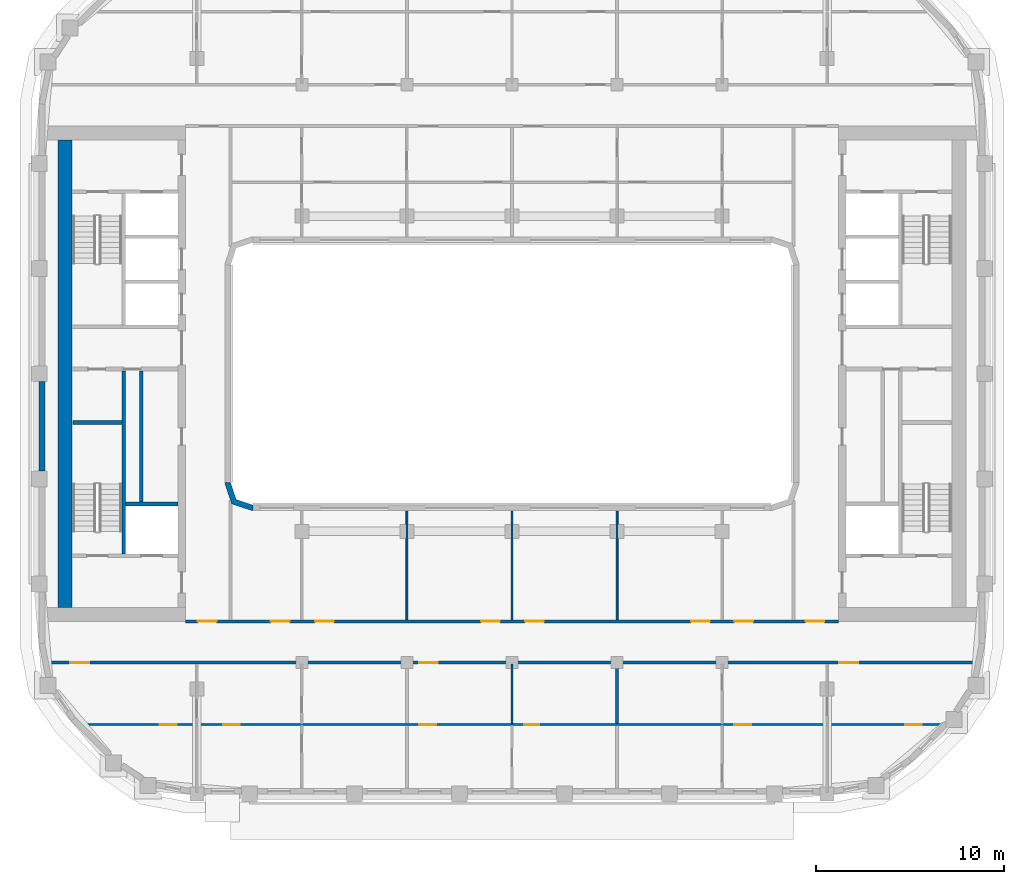
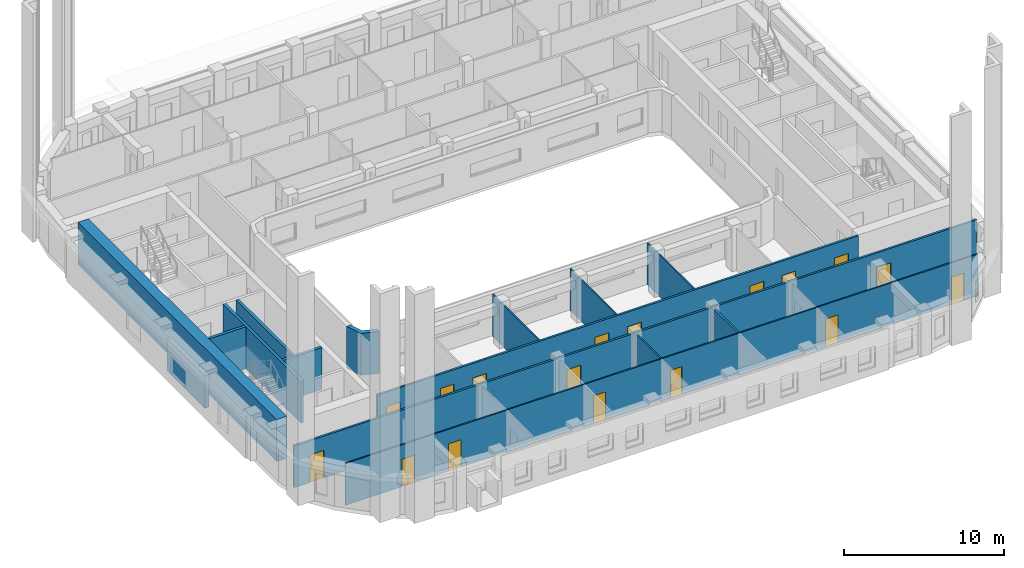
# One storey, part 3 of 21: 17 doors, 15 walls, 17 openings.
"""IFC4 building model written with IfcOpenShell, lengths in metres."""

from ifc_helpers import new_model, si_unit, direction, frame, frame_2d, origin, place, context, subcontext, project, spatial, polyline, rectangle, outline, extrude, material, layer, layer_set, type_object, element, fill, save


model = new_model("IFC4")

# Units and contexts
model_context = context("Model", 3, precision=1e-05, world=origin(), true_north=direction((0.0, 1.0)))
body_context = subcontext(model_context, "Body", "Model", "MODEL_VIEW")
ifc_project = project(units=[si_unit("LENGTHUNIT", "METRE"), si_unit("AREAUNIT", "SQUARE_METRE"), si_unit("VOLUMEUNIT", "CUBIC_METRE"), si_unit("PLANEANGLEUNIT", "RADIAN"), si_unit("MASSUNIT", "GRAM", prefix="KILO")], contexts=[model_context])

# Site, building, storey
site_placement = place(None, origin())
site = spatial("IfcSite", under=ifc_project, at=site_placement, CompositionType="ELEMENT")
building_placement = place(site_placement, origin())
building = spatial("IfcBuilding", under=site, at=building_placement, Name="Kiln Ring Residences", CompositionType="ELEMENT")
storey_placement = place(building_placement, frame((0.0, 0.0, 213.39990234375)))
storey = spatial("IfcBuildingStorey", under=building, at=storey_placement, Name="L55", CompositionType="ELEMENT", Elevation=213.39990234375)

# Walls
ifc_material_1 = material(Name="Gypsum board on steel studs", Category="steel")
ifc_layer_1 = layer(ifc_material_1, 0.199951171875)
ifc_layer_set_1 = layer_set([ifc_layer_1], Name="CORE-PARTITION-200")
wall_type_1 = type_object("IfcWallType", Name="CORE-PARTITION-200", PredefinedType="PARTITIONING", material=ifc_layer_set_1)
wall_1_placement = place(storey_placement, frame((-19.760009765625, -6.85009765625, 0.0), z_axis=(0.0, 0.0, 1.0), x_axis=(0.0, 1.0, 0.0)))
element("IfcWall", 1, at=wall_1_placement, inside=storey, type_object=wall_type_1, Name="Core partition west L55 2", PredefinedType="PARTITIONING", context=body_context, shape_type="SweptSolid", body=[
    extrude(rectangle(XDim=7.0, YDim=0.199951171875, at=frame_2d((3.5, 0.0))), origin(), (0.0, 0.0, 1.0), 3.2001953125),
])
ifc_material_2 = material(Name="Gypsum shaft wall system")
ifc_layer_2 = layer(ifc_material_2, 0.199951171875)
ifc_layer_set_2 = layer_set([ifc_layer_2], Name="CORE-SHAFT-WALL-200")
wall_type_2 = type_object("IfcWallType", Name="CORE-SHAFT-WALL-200", PredefinedType="PARTITIONING", material=ifc_layer_set_2)
wall_2_placement = place(storey_placement, frame((-17.800048828125, -6.949951171875, 0.0), z_axis=(0.0, 0.0, 1.0), x_axis=(-1.0, 0.0, 0.0)))
element("IfcWall", 2, at=wall_2_placement, inside=storey, type_object=wall_type_2, Name="Core partition west L55 3", PredefinedType="PARTITIONING", context=body_context, shape_type="SweptSolid", body=[
    extrude(rectangle(XDim=2.800048828125, YDim=0.199951171875, at=frame_2d((1.39990234375, 0.0))), origin(), (0.0, 0.0, 1.0), 3.2001953125),
])
ifc_material_3 = material(Name="Concrete C40/50", Category="concrete")
ifc_layer_3 = layer(ifc_material_3, 0.199951171875)
ifc_layer_set_3 = layer_set([ifc_layer_3], Name="CORE-WALL-RC200")
wall_type_3 = type_object("IfcWallType", Name="CORE-WALL-RC200", PredefinedType="SHEAR", material=ifc_layer_set_3)
wall_3_placement = place(storey_placement, frame((-20.699951171875, -9.60009765625, 0.0), z_axis=(0.0, 0.0, 1.0), x_axis=(0.0, 1.0, 0.0)))
element("IfcWall", 3, at=wall_3_placement, inside=storey, type_object=wall_type_3, Name="Core wall west L55 2", PredefinedType="SHEAR", context=body_context, shape_type="SweptSolid", body=[
    extrude(rectangle(XDim=9.75, YDim=0.199951171875, at=frame_2d((4.875, 0.0))), origin(), (0.0, 0.0, 1.0), 3.2001953125),
])
wall_4_placement = place(storey_placement, frame((-20.800048828125, -2.60009765625, 0.0), z_axis=(0.0, 0.0, 1.0), x_axis=(-1.0, 0.0, 0.0)))
element("IfcWall", 4, at=wall_4_placement, inside=storey, type_object=wall_type_3, Name="Core wall west L55 10", PredefinedType="SHEAR", context=body_context, shape_type="SweptSolid", body=[
    extrude(rectangle(XDim=2.599853515625, YDim=0.199951171875, at=frame_2d((1.2998046875, 0.0))), origin(), (0.0, 0.0, 1.0), 3.2001953125),
])
ifc_material_4 = material(Name="Concrete C60/75", Category="concrete")
ifc_layer_4 = layer(ifc_material_4, 0.75)
ifc_layer_set_4 = layer_set([ifc_layer_4], Name="CORE-WALL-RC750")
wall_type_4 = type_object("IfcWallType", Name="CORE-WALL-RC750", PredefinedType="SHEAR", material=ifc_layer_set_4)
wall_5_placement = place(storey_placement, frame((-23.824951171875, -12.449951171875, 0.0), z_axis=(0.0, 0.0, 1.0), x_axis=(0.0, 1.0, 0.0)))
element("IfcWall", 5, at=wall_5_placement, inside=storey, type_object=wall_type_4, Name="Core wall west L55 7", PredefinedType="SHEAR", context=body_context, shape_type="SweptSolid", body=[
    extrude(rectangle(XDim=24.89990234375, YDim=0.75, at=frame_2d((12.449951171875, 0.0))), origin(), (0.0, 0.0, 1.0), 3.2001953125),
])
ifc_material_5 = material(Name="Brick masonry, dark clay brick", Category="masonry")
ifc_layer_5 = layer(ifc_material_5, 0.300048828125)
ifc_layer_set_5 = layer_set([ifc_layer_5], Name="EW-300 BRICK WALL")
wall_type_5 = type_object("IfcWallType", Name="EW-300 BRICK WALL", PredefinedType="SOLIDWALL", material=ifc_layer_set_5)
wall_6_placement = place(storey_placement, frame((-25.050048828125, -0.425048828125, 0.0), z_axis=(0.0, 0.0, 1.0), x_axis=(0.0, -1.0, 0.0)))
element("IfcWall", 6, at=wall_6_placement, inside=storey, type_object=wall_type_5, Name="Facade wall L55 42", PredefinedType="SOLIDWALL", context=body_context, shape_type="SweptSolid", body=[
    extrude(rectangle(XDim=4.75, YDim=0.300048828125, at=frame_2d((2.375, 0.0))), origin(), (0.0, 0.0, 1.0), 2.5),
])
wall_7_placement = place(storey_placement, origin())
element("IfcWall", 7, at=wall_7_placement, inside=storey, type_object=wall_type_5, Name="Corner wall L55 4", PredefinedType="SOLIDWALL", context=body_context, shape_type="SweptSolid", body=[
    extrude(outline(polyline([(-14.937255859375, -6.937255859375), (-13.8486328125, -7.300048828125), (-13.800048828125, -7.300048828125), (-13.800048828125, -7.0), (-14.699951171875, -6.699951171875), (-15.0, -5.800048828125), (-15.300048828125, -5.800048828125), (-15.300048828125, -5.8486328125), (-14.937255859375, -6.937255859375)])), origin(), (0.0, 0.0, 1.0), 3.2001953125),
])

# Wall, openings, doors
ifc_material_6 = material(Name="Gypsum board on steel studs", Category="steel")
ifc_layer_6 = layer(ifc_material_6, 0.10009765625)
ifc_layer_set_6 = layer_set([ifc_layer_6], Name="PARTITION-100")
wall_type_6 = type_object("IfcWallType", Name="PARTITION-100", PredefinedType="PARTITIONING", material=ifc_layer_set_6)
wall_8_placement = place(storey_placement, frame((-22.855712890625, -18.699951171875, 0.0), z_axis=(0.0, 0.0, 1.0), x_axis=(1.0, 0.0, 0.0)))
wall_8 = element("IfcWall", 8, at=wall_8_placement, inside=storey, type_object=wall_type_6, Name="Partition 000", PredefinedType="PARTITIONING", context=body_context, shape_type="SweptSolid", body=[
    extrude(rectangle(XDim=45.71142578125, YDim=0.10009765625, at=frame_2d((22.855712890625, 0.0))), origin(), (0.0, 0.0, 1.0), 3.2001953125),
])
opening_1_placement = place(wall_8_placement, frame((4.083740234375, 0.0, 0.0)))
opening_1 = element("IfcOpeningElement", 9, at=opening_1_placement, cuts=wall_8, Name="Opening L55-D042", PredefinedType="OPENING", context=body_context, shape_type="SweptSolid", body=[
    extrude(rectangle(XDim=0.89990234375, YDim=2.10009765625, at=frame_2d((0.449951171875, 1.050048828125))), frame((0.0, 0.06005859375, 0.0), z_axis=(0.0, -1.0, 0.0), x_axis=(1.0, 0.0, 0.0)), (0.0, 0.0, 1.0), 0.1201171875),
])
opening_2_placement = place(wall_8_placement, frame((7.455810546875, 0.0, 0.0)))
opening_2 = element("IfcOpeningElement", 10, at=opening_2_placement, cuts=wall_8, Name="Opening L55-D043", PredefinedType="OPENING", context=body_context, shape_type="SweptSolid", body=[
    extrude(rectangle(XDim=0.89990234375, YDim=2.10009765625, at=frame_2d((0.449951171875, 1.050048828125))), frame((0.0, 0.06005859375, 0.0), z_axis=(0.0, -1.0, 0.0), x_axis=(1.0, 0.0, 0.0)), (0.0, 0.0, 1.0), 0.1201171875),
])
opening_3_placement = place(wall_8_placement, frame((23.505615234375, 0.0, 0.0)))
opening_3 = element("IfcOpeningElement", 11, at=opening_3_placement, cuts=wall_8, Name="Opening L55-D046", PredefinedType="OPENING", context=body_context, shape_type="SweptSolid", body=[
    extrude(rectangle(XDim=0.800048828125, YDim=2.10009765625, at=frame_2d((0.39990234375, 1.050048828125))), frame((0.0, 0.06005859375, 0.0), z_axis=(0.0, -1.0, 0.0), x_axis=(1.0, 0.0, 0.0)), (0.0, 0.0, 1.0), 0.1201171875),
])
opening_4_placement = place(wall_8_placement, frame((17.90576171875, 0.0, 0.0)))
opening_4 = element("IfcOpeningElement", 12, at=opening_4_placement, cuts=wall_8, Name="Opening L55-D047", PredefinedType="OPENING", context=body_context, shape_type="SweptSolid", body=[
    extrude(rectangle(XDim=0.89990234375, YDim=2.10009765625, at=frame_2d((0.449951171875, 1.050048828125))), frame((0.0, 0.06005859375, 0.0), z_axis=(0.0, -1.0, 0.0), x_axis=(1.0, 0.0, 0.0)), (0.0, 0.0, 1.0), 0.1201171875),
])
opening_5_placement = place(wall_8_placement, frame((43.8056640625, 0.0, 0.0)))
opening_5 = element("IfcOpeningElement", 13, at=opening_5_placement, cuts=wall_8, Name="Opening L55-D052", PredefinedType="OPENING", context=body_context, shape_type="SweptSolid", body=[
    extrude(rectangle(XDim=0.89990234375, YDim=2.10009765625, at=frame_2d((0.449951171875, 1.050048828125))), frame((0.0, 0.06005859375, 0.0), z_axis=(0.0, -1.0, 0.0), x_axis=(1.0, 0.0, 0.0)), (0.0, 0.0, 1.0), 0.1201171875),
])
opening_6_placement = place(wall_8_placement, frame((34.705810546875, 0.0, 0.0)))
opening_6 = element("IfcOpeningElement", 14, at=opening_6_placement, cuts=wall_8, Name="Opening L55-D053", PredefinedType="OPENING", context=body_context, shape_type="SweptSolid", body=[
    extrude(rectangle(XDim=0.89990234375, YDim=2.10009765625, at=frame_2d((0.449951171875, 1.050048828125))), frame((0.0, 0.06005859375, 0.0), z_axis=(0.0, -1.0, 0.0), x_axis=(1.0, 0.0, 0.0)), (0.0, 0.0, 1.0), 0.1201171875),
])
ifc_material_7 = material(Name="Timber door leaf", Category="wood")
door_type_1 = type_object("IfcDoorType", Name="FLAT-DOOR-800-PL", OperationType="SINGLE_SWING_LEFT", PredefinedType="DOOR", material=ifc_material_7)
door_1_placement = place(opening_3_placement, origin())
door_1 = element("IfcDoor", 15, at=door_1_placement, inside=storey, type_object=door_type_1, Name="Door L55-D046", OperationType="SINGLE_SWING_RIGHT", OverallHeight=2.10009765625, OverallWidth=0.800048828125, PredefinedType="DOOR", context=body_context, shape_type="SweptSolid", body=[
    extrude(rectangle(XDim=0.800048828125, YDim=2.10009765625, at=frame_2d((0.39990234375, 1.050048828125))), frame((0.0, 0.02490234375, 0.0), z_axis=(0.0, -1.0, 0.0), x_axis=(1.0, 0.0, 0.0)), (0.0, 0.0, 1.0), 0.050048828125),
])
fill(opening_3, door_1)
ifc_material_8 = material(Name="Timber door leaf", Category="wood")
door_type_2 = type_object("IfcDoorType", Name="FLAT-DOOR-900-PL", OperationType="SINGLE_SWING_LEFT", PredefinedType="DOOR", material=ifc_material_8)
door_2_placement = place(opening_1_placement, origin())
door_2 = element("IfcDoor", 16, at=door_2_placement, inside=storey, type_object=door_type_2, Name="Door L55-D042", OperationType="SINGLE_SWING_RIGHT", OverallHeight=2.10009765625, OverallWidth=0.89990234375, PredefinedType="DOOR", context=body_context, shape_type="SweptSolid", body=[
    extrude(rectangle(XDim=0.89990234375, YDim=2.10009765625, at=frame_2d((0.449951171875, 1.050048828125))), frame((0.0, 0.02490234375, 0.0), z_axis=(0.0, -1.0, 0.0), x_axis=(1.0, 0.0, 0.0)), (0.0, 0.0, 1.0), 0.050048828125),
])
fill(opening_1, door_2)
door_3_placement = place(opening_2_placement, origin())
door_3 = element("IfcDoor", 17, at=door_3_placement, inside=storey, type_object=door_type_2, Name="Door L55-D043", OperationType="SINGLE_SWING_LEFT", OverallHeight=2.10009765625, OverallWidth=0.89990234375, PredefinedType="DOOR", context=body_context, shape_type="SweptSolid", body=[
    extrude(rectangle(XDim=0.89990234375, YDim=2.10009765625, at=frame_2d((0.449951171875, 1.050048828125))), frame((0.0, 0.02490234375, 0.0), z_axis=(0.0, -1.0, 0.0), x_axis=(1.0, 0.0, 0.0)), (0.0, 0.0, 1.0), 0.050048828125),
])
fill(opening_2, door_3)
door_4_placement = place(opening_4_placement, origin())
door_4 = element("IfcDoor", 18, at=door_4_placement, inside=storey, type_object=door_type_2, Name="Door L55-D047", OperationType="SINGLE_SWING_LEFT", OverallHeight=2.10009765625, OverallWidth=0.89990234375, PredefinedType="DOOR", context=body_context, shape_type="SweptSolid", body=[
    extrude(rectangle(XDim=0.89990234375, YDim=2.10009765625, at=frame_2d((0.449951171875, 1.050048828125))), frame((0.0, 0.02490234375, 0.0), z_axis=(0.0, -1.0, 0.0), x_axis=(1.0, 0.0, 0.0)), (0.0, 0.0, 1.0), 0.050048828125),
])
fill(opening_4, door_4)
door_5_placement = place(opening_5_placement, origin())
door_5 = element("IfcDoor", 19, at=door_5_placement, inside=storey, type_object=door_type_2, Name="Door L55-D052", OperationType="SINGLE_SWING_RIGHT", OverallHeight=2.10009765625, OverallWidth=0.89990234375, PredefinedType="DOOR", context=body_context, shape_type="SweptSolid", body=[
    extrude(rectangle(XDim=0.89990234375, YDim=2.10009765625, at=frame_2d((0.449951171875, 1.050048828125))), frame((0.0, 0.02490234375, 0.0), z_axis=(0.0, -1.0, 0.0), x_axis=(1.0, 0.0, 0.0)), (0.0, 0.0, 1.0), 0.050048828125),
])
fill(opening_5, door_5)
door_6_placement = place(opening_6_placement, origin())
door_6 = element("IfcDoor", 20, at=door_6_placement, inside=storey, type_object=door_type_2, Name="Door L55-D053", OperationType="SINGLE_SWING_LEFT", OverallHeight=2.10009765625, OverallWidth=0.89990234375, PredefinedType="DOOR", context=body_context, shape_type="SweptSolid", body=[
    extrude(rectangle(XDim=0.89990234375, YDim=2.10009765625, at=frame_2d((0.449951171875, 1.050048828125))), frame((0.0, 0.02490234375, 0.0), z_axis=(0.0, -1.0, 0.0), x_axis=(1.0, 0.0, 0.0)), (0.0, 0.0, 1.0), 0.050048828125),
])
fill(opening_6, door_6)

# Walls
wall_9_placement = place(storey_placement, frame((-5.60009765625, -13.125, 0.0), z_axis=(0.0, 0.0, 1.0), x_axis=(0.0, 1.0, 0.0)))
element("IfcWall", 21, at=wall_9_placement, inside=storey, type_object=wall_type_6, Name="Partition 020", PredefinedType="PARTITIONING", context=body_context, shape_type="SweptSolid", body=[
    extrude(rectangle(XDim=5.804931640625, YDim=0.10009765625, at=frame_2d((2.90234375, 0.0))), origin(), (0.0, 0.0, 1.0), 3.2001953125),
])
wall_10_placement = place(storey_placement, frame((0.0, -18.64990234375, 0.0), z_axis=(0.0, 0.0, 1.0), x_axis=(0.0, 1.0, 0.0)))
element("IfcWall", 22, at=wall_10_placement, inside=storey, type_object=wall_type_6, Name="Partition 028", PredefinedType="PARTITIONING", context=body_context, shape_type="SweptSolid", body=[
    extrude(rectangle(XDim=3.1748046875, YDim=0.10009765625, at=frame_2d((1.58740234375, 0.0))), origin(), (0.0, 0.0, 1.0), 3.2001953125),
])
for number, where, z_axis, x_axis, name in (
    (23, (0.0, -13.125, 0.0), (0.0, 0.0, 1.0), (0.0, 1.0, 0.0), "Partition 029"),
    (24, (5.60009765625, -13.125, 0.0), (0.0, 0.0, 1.0), (0.0, 1.0, 0.0), "Partition 034"),
):
    element("IfcWall", number, at=place(storey_placement, frame(where, z_axis=z_axis, x_axis=x_axis)), inside=storey, type_object=wall_type_6, Name=name, PredefinedType="PARTITIONING", context=body_context, shape_type="SweptSolid", body=[
        extrude(rectangle(XDim=5.804931640625, YDim=0.10009765625, at=frame_2d((2.90234375, 0.0))), origin(), (0.0, 0.0, 1.0), 3.2001953125),
    ])

# Wall, openings, doors
ifc_material_9 = material(Name="Brick masonry partition", Category="masonry")
ifc_layer_7 = layer(ifc_material_9, 0.14990234375)
ifc_layer_set_7 = layer_set([ifc_layer_7], Name="PARTITION-150-ei60")
wall_type_7 = type_object("IfcWallType", Name="PARTITION-150-ei60", PredefinedType="PARTITIONING", material=ifc_layer_set_7)
wall_11_placement = place(storey_placement, frame((-24.683837890625, -15.39990234375, 0.0), z_axis=(0.0, 0.0, 1.0), x_axis=(1.0, 0.0, 0.0)))
wall_11 = element("IfcWall", 25, at=wall_11_placement, inside=storey, type_object=wall_type_7, Name="Partition 001", PredefinedType="PARTITIONING", context=body_context, shape_type="SweptSolid", body=[
    extrude(rectangle(XDim=49.36767578125, YDim=0.14990234375, at=frame_2d((24.683837890625, 0.0))), origin(), (0.0, 0.0, 1.0), 3.2001953125),
])
opening_7_placement = place(wall_11_placement, frame((1.142822265625, 0.0, 0.0)))
opening_7 = element("IfcOpeningElement", 26, at=opening_7_placement, cuts=wall_11, Name="Opening L55-D039", PredefinedType="OPENING", context=body_context, shape_type="SweptSolid", body=[
    extrude(rectangle(XDim=1.0, YDim=2.10009765625, at=frame_2d((0.5, 1.050048828125))), frame((0.0, 0.0849609375, 0.0), z_axis=(0.0, -1.0, 0.0), x_axis=(1.0, 0.0, 0.0)), (0.0, 0.0, 1.0), 0.169921875),
])
opening_8_placement = place(wall_11_placement, frame((19.73388671875, 0.0, 0.0)))
opening_8 = element("IfcOpeningElement", 27, at=opening_8_placement, cuts=wall_11, Name="Opening L55-D045", PredefinedType="OPENING", context=body_context, shape_type="SweptSolid", body=[
    extrude(rectangle(XDim=1.0, YDim=2.10009765625, at=frame_2d((0.5, 1.050048828125))), frame((0.0, 0.0849609375, 0.0), z_axis=(0.0, -1.0, 0.0), x_axis=(1.0, 0.0, 0.0)), (0.0, 0.0, 1.0), 0.169921875),
])
opening_9_placement = place(wall_11_placement, frame((42.1337890625, 0.0, 0.0)))
opening_9 = element("IfcOpeningElement", 28, at=opening_9_placement, cuts=wall_11, Name="Opening L55-D049", PredefinedType="OPENING", context=body_context, shape_type="SweptSolid", body=[
    extrude(rectangle(XDim=1.0, YDim=2.10009765625, at=frame_2d((0.5, 1.050048828125))), frame((0.0, 0.0849609375, 0.0), z_axis=(0.0, -1.0, 0.0), x_axis=(1.0, 0.0, 0.0)), (0.0, 0.0, 1.0), 0.169921875),
])
ifc_material_10 = material(Name="Steel faced fire door leaf", Category="steel")
door_type_3 = type_object("IfcDoorType", Name="FLAT-DOOR-1000-FR", OperationType="SINGLE_SWING_LEFT", PredefinedType="DOOR", material=ifc_material_10)
door_7_placement = place(opening_7_placement, origin())
door_7 = element("IfcDoor", 29, at=door_7_placement, inside=storey, type_object=door_type_3, Name="Door L55-D039", OperationType="SINGLE_SWING_LEFT", OverallHeight=2.10009765625, OverallWidth=1.0, PredefinedType="DOOR", context=body_context, shape_type="SweptSolid", body=[
    extrude(rectangle(XDim=1.0, YDim=2.10009765625, at=frame_2d((0.5, 1.050048828125))), frame((0.0, 0.02490234375, 0.0), z_axis=(0.0, -1.0, 0.0), x_axis=(1.0, 0.0, 0.0)), (0.0, 0.0, 1.0), 0.050048828125),
])
fill(opening_7, door_7)
door_8_placement = place(opening_8_placement, origin())
door_8 = element("IfcDoor", 30, at=door_8_placement, inside=storey, type_object=door_type_3, Name="Door L55-D045", OperationType="SINGLE_SWING_LEFT", OverallHeight=2.10009765625, OverallWidth=1.0, PredefinedType="DOOR", context=body_context, shape_type="SweptSolid", body=[
    extrude(rectangle(XDim=1.0, YDim=2.10009765625, at=frame_2d((0.5, 1.050048828125))), frame((0.0, 0.02490234375, 0.0), z_axis=(0.0, -1.0, 0.0), x_axis=(1.0, 0.0, 0.0)), (0.0, 0.0, 1.0), 0.050048828125),
])
fill(opening_8, door_8)
door_9_placement = place(opening_9_placement, origin())
door_9 = element("IfcDoor", 31, at=door_9_placement, inside=storey, type_object=door_type_3, Name="Door L55-D049", OperationType="SINGLE_SWING_LEFT", OverallHeight=2.10009765625, OverallWidth=1.0, PredefinedType="DOOR", context=body_context, shape_type="SweptSolid", body=[
    extrude(rectangle(XDim=1.0, YDim=2.10009765625, at=frame_2d((0.5, 1.050048828125))), frame((0.0, 0.02490234375, 0.0), z_axis=(0.0, -1.0, 0.0), x_axis=(1.0, 0.0, 0.0)), (0.0, 0.0, 1.0), 0.050048828125),
])
fill(opening_9, door_9)

wall_12_placement = place(storey_placement, frame((-17.39990234375, -13.199951171875, 0.0), z_axis=(0.0, 0.0, 1.0), x_axis=(1.0, 0.0, 0.0)))
wall_12 = element("IfcWall", 32, at=wall_12_placement, inside=storey, type_object=wall_type_7, Name="Partition 002", PredefinedType="PARTITIONING", context=body_context, shape_type="SweptSolid", body=[
    extrude(rectangle(XDim=34.7998046875, YDim=0.14990234375, at=frame_2d((17.39990234375, 0.0))), origin(), (0.0, 0.0, 1.0), 3.2001953125),
])
opening_10_placement = place(wall_12_placement, frame((0.64990234375, 0.0, 0.0)))
opening_10 = element("IfcOpeningElement", 33, at=opening_10_placement, cuts=wall_12, Name="Opening L55-D003", PredefinedType="OPENING", context=body_context, shape_type="SweptSolid", body=[
    extrude(rectangle(XDim=1.0, YDim=2.10009765625, at=frame_2d((0.5, 1.050048828125))), frame((0.0, 0.0849609375, 0.0), z_axis=(0.0, -1.0, 0.0), x_axis=(1.0, 0.0, 0.0)), (0.0, 0.0, 1.0), 0.169921875),
])
opening_11_placement = place(wall_12_placement, frame((33.050048828125, 0.0, 0.0)))
opening_11 = element("IfcOpeningElement", 34, at=opening_11_placement, cuts=wall_12, Name="Opening L55-D004", PredefinedType="OPENING", context=body_context, shape_type="SweptSolid", body=[
    extrude(rectangle(XDim=1.0, YDim=2.10009765625, at=frame_2d((0.5, 1.050048828125))), frame((0.0, 0.0849609375, 0.0), z_axis=(0.0, -1.0, 0.0), x_axis=(1.0, 0.0, 0.0)), (0.0, 0.0, 1.0), 0.169921875),
])
opening_12_placement = place(wall_12_placement, frame((4.550048828125, 0.0, 0.0)))
opening_12 = element("IfcOpeningElement", 35, at=opening_12_placement, cuts=wall_12, Name="Opening L55-D033", PredefinedType="OPENING", context=body_context, shape_type="SweptSolid", body=[
    extrude(rectangle(XDim=1.0, YDim=2.10009765625, at=frame_2d((0.5, 1.050048828125))), frame((0.0, 0.0849609375, 0.0), z_axis=(0.0, -1.0, 0.0), x_axis=(1.0, 0.0, 0.0)), (0.0, 0.0, 1.0), 0.169921875),
])
opening_13_placement = place(wall_12_placement, frame((6.89990234375, 0.0, 0.0)))
opening_13 = element("IfcOpeningElement", 36, at=opening_13_placement, cuts=wall_12, Name="Opening L55-D034", PredefinedType="OPENING", context=body_context, shape_type="SweptSolid", body=[
    extrude(rectangle(XDim=1.0, YDim=2.10009765625, at=frame_2d((0.5, 1.050048828125))), frame((0.0, 0.0849609375, 0.0), z_axis=(0.0, -1.0, 0.0), x_axis=(1.0, 0.0, 0.0)), (0.0, 0.0, 1.0), 0.169921875),
])
opening_14_placement = place(wall_12_placement, frame((15.75, 0.0, 0.0)))
opening_14 = element("IfcOpeningElement", 37, at=opening_14_placement, cuts=wall_12, Name="Opening L55-D035", PredefinedType="OPENING", context=body_context, shape_type="SweptSolid", body=[
    extrude(rectangle(XDim=1.0, YDim=2.10009765625, at=frame_2d((0.5, 1.050048828125))), frame((0.0, 0.0849609375, 0.0), z_axis=(0.0, -1.0, 0.0), x_axis=(1.0, 0.0, 0.0)), (0.0, 0.0, 1.0), 0.169921875),
])
opening_15_placement = place(wall_12_placement, frame((18.10009765625, 0.0, 0.0)))
opening_15 = element("IfcOpeningElement", 38, at=opening_15_placement, cuts=wall_12, Name="Opening L55-D036", PredefinedType="OPENING", context=body_context, shape_type="SweptSolid", body=[
    extrude(rectangle(XDim=1.0, YDim=2.10009765625, at=frame_2d((0.5, 1.050048828125))), frame((0.0, 0.0849609375, 0.0), z_axis=(0.0, -1.0, 0.0), x_axis=(1.0, 0.0, 0.0)), (0.0, 0.0, 1.0), 0.169921875),
])
opening_16_placement = place(wall_12_placement, frame((26.949951171875, 0.0, 0.0)))
opening_16 = element("IfcOpeningElement", 39, at=opening_16_placement, cuts=wall_12, Name="Opening L55-D037", PredefinedType="OPENING", context=body_context, shape_type="SweptSolid", body=[
    extrude(rectangle(XDim=1.0, YDim=2.10009765625, at=frame_2d((0.5, 1.050048828125))), frame((0.0, 0.0849609375, 0.0), z_axis=(0.0, -1.0, 0.0), x_axis=(1.0, 0.0, 0.0)), (0.0, 0.0, 1.0), 0.169921875),
])
opening_17_placement = place(wall_12_placement, frame((29.25, 0.0, 0.0)))
opening_17 = element("IfcOpeningElement", 40, at=opening_17_placement, cuts=wall_12, Name="Opening L55-D038", PredefinedType="OPENING", context=body_context, shape_type="SweptSolid", body=[
    extrude(rectangle(XDim=1.0, YDim=2.10009765625, at=frame_2d((0.5, 1.050048828125))), frame((0.0, 0.0849609375, 0.0), z_axis=(0.0, -1.0, 0.0), x_axis=(1.0, 0.0, 0.0)), (0.0, 0.0, 1.0), 0.169921875),
])
door_10_placement = place(opening_10_placement, origin())
door_10 = element("IfcDoor", 41, at=door_10_placement, inside=storey, type_object=door_type_3, Name="Door L55-D003", OperationType="SINGLE_SWING_RIGHT", OverallHeight=2.10009765625, OverallWidth=1.0, PredefinedType="DOOR", context=body_context, shape_type="SweptSolid", body=[
    extrude(rectangle(XDim=1.0, YDim=2.10009765625, at=frame_2d((0.5, 1.050048828125))), frame((0.0, 0.02490234375, 0.0), z_axis=(0.0, -1.0, 0.0), x_axis=(1.0, 0.0, 0.0)), (0.0, 0.0, 1.0), 0.050048828125),
])
fill(opening_10, door_10)
door_11_placement = place(opening_11_placement, origin())
door_11 = element("IfcDoor", 42, at=door_11_placement, inside=storey, type_object=door_type_3, Name="Door L55-D004", OperationType="SINGLE_SWING_LEFT", OverallHeight=2.10009765625, OverallWidth=1.0, PredefinedType="DOOR", context=body_context, shape_type="SweptSolid", body=[
    extrude(rectangle(XDim=1.0, YDim=2.10009765625, at=frame_2d((0.5, 1.050048828125))), frame((0.0, 0.02490234375, 0.0), z_axis=(0.0, -1.0, 0.0), x_axis=(1.0, 0.0, 0.0)), (0.0, 0.0, 1.0), 0.050048828125),
])
fill(opening_11, door_11)
door_12_placement = place(opening_12_placement, origin())
door_12 = element("IfcDoor", 43, at=door_12_placement, inside=storey, type_object=door_type_3, Name="Door L55-D033", OperationType="SINGLE_SWING_LEFT", OverallHeight=2.10009765625, OverallWidth=1.0, PredefinedType="DOOR", context=body_context, shape_type="SweptSolid", body=[
    extrude(rectangle(XDim=1.0, YDim=2.10009765625, at=frame_2d((0.5, 1.050048828125))), frame((0.0, 0.02490234375, 0.0), z_axis=(0.0, -1.0, 0.0), x_axis=(1.0, 0.0, 0.0)), (0.0, 0.0, 1.0), 0.050048828125),
])
fill(opening_12, door_12)
door_13_placement = place(opening_13_placement, origin())
door_13 = element("IfcDoor", 44, at=door_13_placement, inside=storey, type_object=door_type_3, Name="Door L55-D034", OperationType="SINGLE_SWING_RIGHT", OverallHeight=2.10009765625, OverallWidth=1.0, PredefinedType="DOOR", context=body_context, shape_type="SweptSolid", body=[
    extrude(rectangle(XDim=1.0, YDim=2.10009765625, at=frame_2d((0.5, 1.050048828125))), frame((0.0, 0.02490234375, 0.0), z_axis=(0.0, -1.0, 0.0), x_axis=(1.0, 0.0, 0.0)), (0.0, 0.0, 1.0), 0.050048828125),
])
fill(opening_13, door_13)
door_14_placement = place(opening_14_placement, origin())
door_14 = element("IfcDoor", 45, at=door_14_placement, inside=storey, type_object=door_type_3, Name="Door L55-D035", OperationType="SINGLE_SWING_LEFT", OverallHeight=2.10009765625, OverallWidth=1.0, PredefinedType="DOOR", context=body_context, shape_type="SweptSolid", body=[
    extrude(rectangle(XDim=1.0, YDim=2.10009765625, at=frame_2d((0.5, 1.050048828125))), frame((0.0, 0.02490234375, 0.0), z_axis=(0.0, -1.0, 0.0), x_axis=(1.0, 0.0, 0.0)), (0.0, 0.0, 1.0), 0.050048828125),
])
fill(opening_14, door_14)
door_15_placement = place(opening_15_placement, origin())
door_15 = element("IfcDoor", 46, at=door_15_placement, inside=storey, type_object=door_type_3, Name="Door L55-D036", OperationType="SINGLE_SWING_RIGHT", OverallHeight=2.10009765625, OverallWidth=1.0, PredefinedType="DOOR", context=body_context, shape_type="SweptSolid", body=[
    extrude(rectangle(XDim=1.0, YDim=2.10009765625, at=frame_2d((0.5, 1.050048828125))), frame((0.0, 0.02490234375, 0.0), z_axis=(0.0, -1.0, 0.0), x_axis=(1.0, 0.0, 0.0)), (0.0, 0.0, 1.0), 0.050048828125),
])
fill(opening_15, door_15)
door_16_placement = place(opening_16_placement, origin())
door_16 = element("IfcDoor", 47, at=door_16_placement, inside=storey, type_object=door_type_3, Name="Door L55-D037", OperationType="SINGLE_SWING_LEFT", OverallHeight=2.10009765625, OverallWidth=1.0, PredefinedType="DOOR", context=body_context, shape_type="SweptSolid", body=[
    extrude(rectangle(XDim=1.0, YDim=2.10009765625, at=frame_2d((0.5, 1.050048828125))), frame((0.0, 0.02490234375, 0.0), z_axis=(0.0, -1.0, 0.0), x_axis=(1.0, 0.0, 0.0)), (0.0, 0.0, 1.0), 0.050048828125),
])
fill(opening_16, door_16)
door_17_placement = place(opening_17_placement, origin())
door_17 = element("IfcDoor", 48, at=door_17_placement, inside=storey, type_object=door_type_3, Name="Door L55-D038", OperationType="SINGLE_SWING_RIGHT", OverallHeight=2.10009765625, OverallWidth=1.0, PredefinedType="DOOR", context=body_context, shape_type="SweptSolid", body=[
    extrude(rectangle(XDim=1.0, YDim=2.10009765625, at=frame_2d((0.5, 1.050048828125))), frame((0.0, 0.02490234375, 0.0), z_axis=(0.0, -1.0, 0.0), x_axis=(1.0, 0.0, 0.0)), (0.0, 0.0, 1.0), 0.050048828125),
])
fill(opening_17, door_17)

# Wall
wall_13_placement = place(storey_placement, frame((5.60009765625, -18.64990234375, 0.0), z_axis=(0.0, 0.0, 1.0), x_axis=(0.0, 1.0, 0.0)))
element("IfcWall", 49, at=wall_13_placement, inside=storey, type_object=wall_type_7, Name="Partition 038", PredefinedType="PARTITIONING", context=body_context, shape_type="SweptSolid", body=[
    extrude(rectangle(XDim=3.1748046875, YDim=0.14990234375, at=frame_2d((1.58740234375, 0.0))), origin(), (0.0, 0.0, 1.0), 3.2001953125),
])

save(model, "model.ifc")
